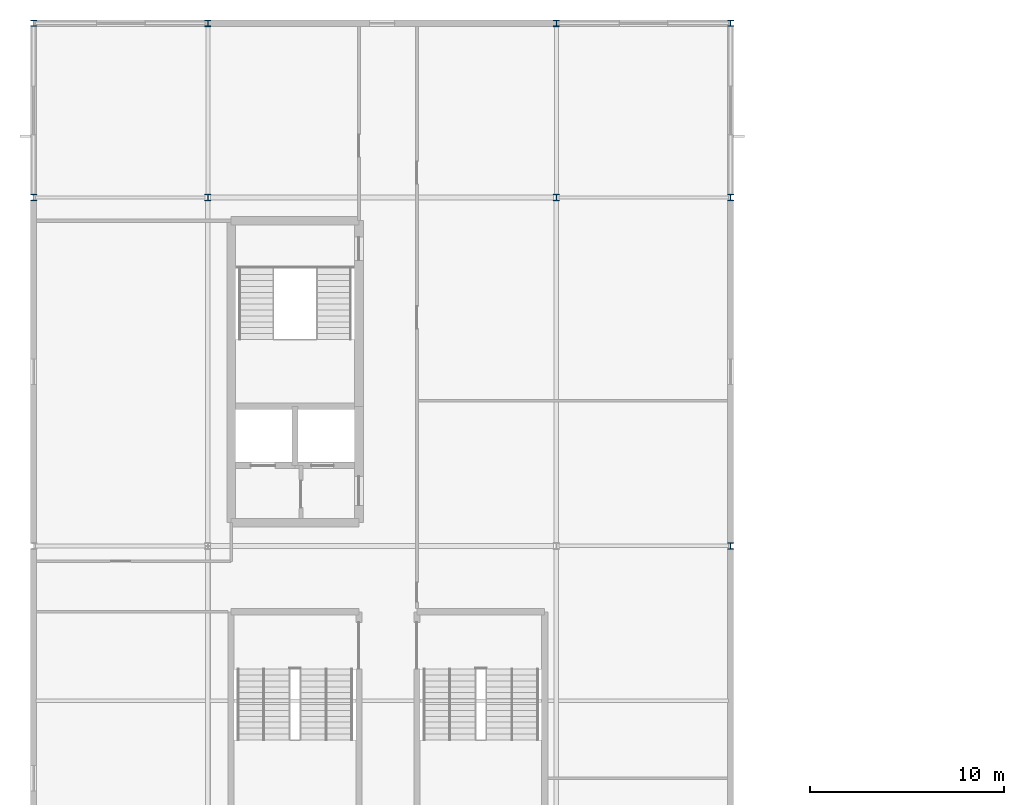
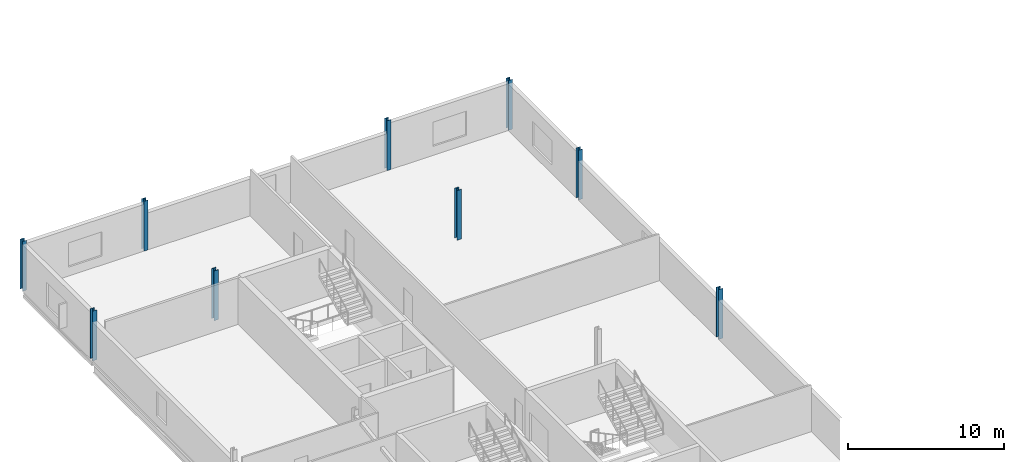
# One storey, part 3 of 27: 9 columns.
"""IFC4 building model written with IfcOpenShell, lengths in metres."""

from ifc_helpers import new_model, si_unit, direction, frame, origin, origin_2d, place, context, subcontext, project, spatial, i_section, extrude, material, material_profile, profile_set, type_object, element, save


model = new_model("IFC4")

# Units and contexts
model_context = context("Model", 3, precision=1e-05, world=origin(), true_north=direction((0.0, 1.0)))
body_context = subcontext(model_context, "Body", "Model", "MODEL_VIEW")
ifc_project = project(units=[si_unit("LENGTHUNIT", "METRE"), si_unit("AREAUNIT", "SQUARE_METRE"), si_unit("VOLUMEUNIT", "CUBIC_METRE"), si_unit("PLANEANGLEUNIT", "RADIAN"), si_unit("MASSUNIT", "GRAM", prefix="KILO")], contexts=[model_context])

# Site, building, storey
site_placement = place(None, origin())
site = spatial("IfcSite", under=ifc_project, at=site_placement, CompositionType="ELEMENT")
building_placement = place(site_placement, origin())
building = spatial("IfcBuilding", under=site, at=building_placement, Name="Kisiwana Market Hall", CompositionType="ELEMENT")
storey_placement = place(building_placement, frame((0.0, 0.0, 41.699951171875)))
storey = spatial("IfcBuildingStorey", under=building, at=storey_placement, Name="L09", CompositionType="ELEMENT", Elevation=41.699951171875)

# Columns
ifc_material_1 = material(Name="Steel S355", Category="steel")
ifc_material_profile_1 = material_profile(ifc_material_1, i_section(OverallWidth=0.30908203125, OverallDepth=0.320556640625, WebThickness=0.013916015625, FlangeThickness=0.021728515625, at=origin_2d()), Name="UC 305x305x137")
ifc_profile_set_1 = profile_set([ifc_material_profile_1], Name="Steel S355")
column_type_1 = type_object("IfcColumnType", Name="COL-STL-UC137", PredefinedType="COLUMN", material=ifc_profile_set_1)
for number, where, z_axis, x_axis, name in (
    (1, (0.0, 102.0, 0.0), (0.0, 0.0, 1.0), (1.0, 0.0, 0.0), "Column N/1 (L09) C-1215"),
    (2, (0.0, 111.0, 0.0), (0.0, 0.0, 1.0), (1.0, 0.0, 0.0), "Column P/1 (L09) C-1216"),
    (3, (36.0, 84.0, 0.0), (0.0, 0.0, 1.0), (1.0, 0.0, 0.0), "Column L/5 (L09) C-1233"),
    (4, (36.0, 102.0, 0.0), (0.0, 0.0, 1.0), (1.0, 0.0, 0.0), "Column N/5 (L09) C-1234"),
    (5, (36.0, 111.0, 0.0), (0.0, 0.0, 1.0), (1.0, 0.0, 0.0), "Column P/5 (L09) C-1235"),
):
    element("IfcColumn", number, at=place(storey_placement, frame(where, z_axis=z_axis, x_axis=x_axis)), inside=storey, type_object=column_type_1, Name=name, PredefinedType="COLUMN", context=body_context, shape_type="SweptSolid", body=[
        extrude(i_section(OverallWidth=0.30908203125, OverallDepth=0.320556640625, WebThickness=0.013916015625, FlangeThickness=0.021728515625, at=origin_2d()), origin(), (0.0, 0.0, 1.0), 3.900146484375),
    ])
ifc_material_2 = material(Name="Steel S355", Category="steel")
ifc_material_profile_2 = material_profile(ifc_material_2, i_section(OverallWidth=0.314453125, OverallDepth=0.33984375, WebThickness=0.01904296875, FlangeThickness=0.031494140625, at=origin_2d()), Name="UC 305x305x198")
ifc_profile_set_2 = profile_set([ifc_material_profile_2], Name="Steel S355")
column_type_2 = type_object("IfcColumnType", Name="COL-STL-UC198", PredefinedType="COLUMN", material=ifc_profile_set_2)
for number, where, z_axis, x_axis, name in (
    (6, (9.0, 102.0, 0.0), (0.0, 0.0, 1.0), (1.0, 0.0, 0.0), "Column N/2 (L09) C-1221"),
    (7, (9.0, 111.0, 0.0), (0.0, 0.0, 1.0), (1.0, 0.0, 0.0), "Column P/2 (L09) C-1222"),
    (8, (27.0, 102.0, 0.0), (0.0, 0.0, 1.0), (1.0, 0.0, 0.0), "Column N/4 (L09) C-1228"),
    (9, (27.0, 111.0, 0.0), (0.0, 0.0, 1.0), (1.0, 0.0, 0.0), "Column P/4 (L09) C-1229"),
):
    element("IfcColumn", number, at=place(storey_placement, frame(where, z_axis=z_axis, x_axis=x_axis)), inside=storey, type_object=column_type_2, Name=name, PredefinedType="COLUMN", context=body_context, shape_type="SweptSolid", body=[
        extrude(i_section(OverallWidth=0.314453125, OverallDepth=0.33984375, WebThickness=0.01904296875, FlangeThickness=0.031494140625, at=origin_2d()), origin(), (0.0, 0.0, 1.0), 3.900146484375),
    ])

save(model, "model.ifc")
